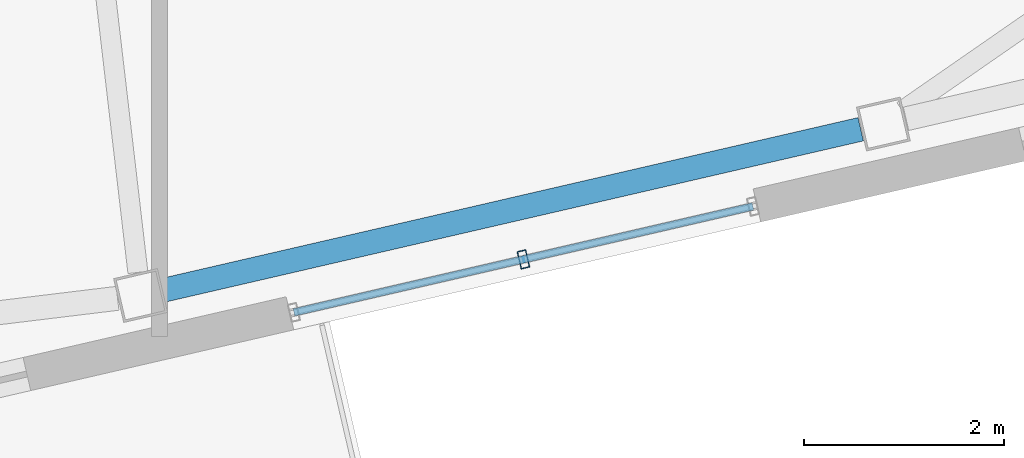
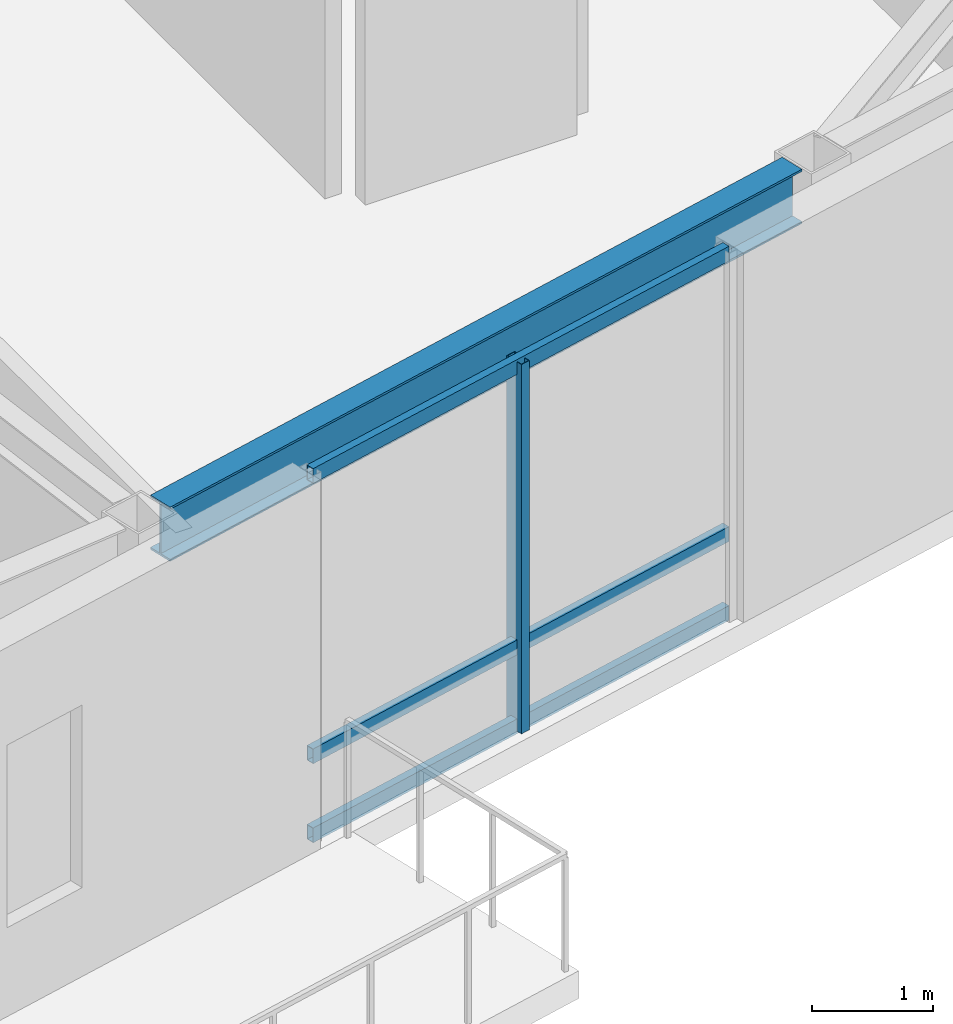
# One storey, part 8 of 24: 4 members, 1 beam, 1 element without a shape of its own.
"""IFC4 building model written with IfcOpenShell, lengths in metres."""

from ifc_helpers import new_model, si_unit, direction, frame, origin, origin_2d, place, context, subcontext, project, spatial, hollow_rectangle, i_section, extrude, material, layer, layer_set, material_profile, profile_set, type_object, element, aggregate, save


model = new_model("IFC4")

# Units and contexts
model_context = context("Model", 3, precision=1e-05, world=origin(), true_north=direction((0.0, 1.0)))
body_context = subcontext(model_context, "Body", "Model", "MODEL_VIEW")
ifc_project = project(units=[si_unit("LENGTHUNIT", "METRE"), si_unit("AREAUNIT", "SQUARE_METRE"), si_unit("VOLUMEUNIT", "CUBIC_METRE"), si_unit("PLANEANGLEUNIT", "RADIAN"), si_unit("MASSUNIT", "GRAM", prefix="KILO")], contexts=[model_context])

# Site, building, storey
site_placement = place(None, origin())
site = spatial("IfcSite", under=ifc_project, at=site_placement, CompositionType="ELEMENT")
building_placement = place(site_placement, origin())
building = spatial("IfcBuilding", under=site, at=building_placement, Name="Tavrogorsk Clinical Tower", CompositionType="ELEMENT")
storey_placement = place(building_placement, frame((0.0, 0.0, 325.0)))
storey = spatial("IfcBuildingStorey", under=building, at=storey_placement, Name="L76", CompositionType="ELEMENT", Elevation=325.0)

# Curtain wall, members
ifc_material_1 = material(Name="Anodised aluminium and triple IGU glazing", Category="aluminium")
ifc_layer = layer(ifc_material_1, 0.179931640625)
ifc_layer_set = layer_set([ifc_layer], Name="Anodised aluminium and triple IGU glazing")
curtain_wall_type = type_object("IfcCurtainWallType", Name="CW3_SouthSlot", PredefinedType="NOTDEFINED", material=ifc_layer_set)
curtain_wall_placement = place(storey_placement, origin())
curtain_wall = element("IfcCurtainWall", 1, at=curtain_wall_placement, inside=storey, type_object=curtain_wall_type, Name="L76 Curtain Wall CW-L76-S-SLOT-2", PredefinedType="NOTDEFINED")
ifc_material_2 = material(Name="Anodised aluminium alloy AW-6060", Category="aluminium")
ifc_material_profile_1 = material_profile(ifc_material_2, hollow_rectangle(XDim=0.090087890625, YDim=0.179931640625, WallThickness=0.00634765625, at=origin_2d()), Name="RHS-180x90x6.3")
ifc_profile_set_1 = profile_set([ifc_material_profile_1], Name="Anodised aluminium alloy AW-6060")
member_type_1 = type_object("IfcMemberType", Name="CwMullion_180x90", PredefinedType="MULLION", material=ifc_profile_set_1)
member_1_placement = place(storey_placement, frame((10.106689453125, -22.03515625, 0.0), z_axis=(0.0, 0.0, 1.0), x_axis=(0.974370057377, 0.224951086434, 0.0)))
member_1 = element("IfcMember", 2, at=member_1_placement, type_object=member_type_1, Name="CW-L76-S-SLOT-2 Mullion 2", PredefinedType="MULLION", context=body_context, shape_type="SweptSolid", body=[
    extrude(hollow_rectangle(XDim=0.090087890625, YDim=0.179931640625, WallThickness=0.00634765625, at=origin_2d()), origin(), (0.0, 0.0, 1.0), 3.739990234375),
])
ifc_material_3 = material(Name="Anodised aluminium alloy AW-6060", Category="aluminium")
ifc_material_profile_2 = material_profile(ifc_material_3, hollow_rectangle(XDim=0.074951171875, YDim=0.14990234375, WallThickness=0.0048828125, at=origin_2d()), Name="RHS-150x75x5")
ifc_profile_set_2 = profile_set([ifc_material_profile_2], Name="Anodised aluminium alloy AW-6060")
member_type_2 = type_object("IfcMemberType", Name="CwTransom_150x75", PredefinedType="USERDEFINED", material=ifc_profile_set_2)
member_2_placement = place(storey_placement, frame((7.80810546875, -22.56591796875, 0.050048828125), z_axis=(0.974372877948, 0.22493886885, 0.0), x_axis=(-0.22493886885, 0.974372877948, 0.0)))
member_2 = element("IfcMember", 3, at=member_2_placement, type_object=member_type_2, Name="CW-L76-S-SLOT-2 Transom 1", ObjectType="TRANSOM", PredefinedType="USERDEFINED", context=body_context, shape_type="SweptSolid", body=[
    extrude(hollow_rectangle(XDim=0.074951171875, YDim=0.14990234375, WallThickness=0.0048828125, at=origin_2d()), origin(), (0.0, 0.0, 1.0), 4.718017578125),
])
member_3_placement = place(storey_placement, frame((7.80810546875, -22.56591796875, 0.85009765625), z_axis=(0.974372877948, 0.22493886885, 0.0), x_axis=(-0.22493886885, 0.974372877948, 0.0)))
member_3 = element("IfcMember", 4, at=member_3_placement, type_object=member_type_2, Name="CW-L76-S-SLOT-2 Transom 2", ObjectType="TRANSOM", PredefinedType="USERDEFINED", context=body_context, shape_type="SweptSolid", body=[
    extrude(hollow_rectangle(XDim=0.074951171875, YDim=0.14990234375, WallThickness=0.0048828125, at=origin_2d()), origin(), (0.0, 0.0, 1.0), 4.718017578125),
])
member_4_placement = place(storey_placement, frame((7.80810546875, -22.56591796875, 3.68994140625), z_axis=(0.974372877948, 0.22493886885, 0.0), x_axis=(-0.22493886885, 0.974372877948, 0.0)))
member_4 = element("IfcMember", 5, at=member_4_placement, type_object=member_type_2, Name="CW-L76-S-SLOT-2 Transom 3", ObjectType="TRANSOM", PredefinedType="USERDEFINED", context=body_context, shape_type="SweptSolid", body=[
    extrude(hollow_rectangle(XDim=0.074951171875, YDim=0.14990234375, WallThickness=0.0048828125, at=origin_2d()), origin(), (0.0, 0.0, 1.0), 4.718017578125),
])
aggregate(curtain_wall, [member_1, member_2, member_3, member_4])

# Beam
ifc_material_4 = material(Name="Structural steel S390", Category="steel")
ifc_material_profile_3 = material_profile(ifc_material_4, i_section(OverallWidth=0.239990234375, OverallDepth=0.550048828125, WebThickness=0.013916015625, FlangeThickness=0.02197265625, at=origin_2d()), Name="B-550x240x14x22")
ifc_profile_set_3 = profile_set([ifc_material_profile_3], Name="Structural steel S390")
beam_type = type_object("IfcBeamType", Name="SpandrelBeam_B550", PredefinedType="SPANDREL", material=ifc_profile_set_3)
beam_placement = place(storey_placement, frame((6.499755859375, -22.344482421875, 3.465087890625), z_axis=(0.974369378592, 0.224954026551, 0.0), x_axis=(-0.224954026551, 0.974369378592, 0.0)))
element("IfcBeam", 6, at=beam_placement, inside=storey, type_object=beam_type, Name="L76 Perimeter Spandrel S5-S6", PredefinedType="SPANDREL", context=body_context, shape_type="SweptSolid", body=[
    extrude(i_section(OverallWidth=0.239990234375, OverallDepth=0.550048828125, WebThickness=0.013916015625, FlangeThickness=0.02197265625, at=origin_2d()), origin(), (0.0, 0.0, 1.0), 7.16845703125),
])

save(model, "model.ifc")
